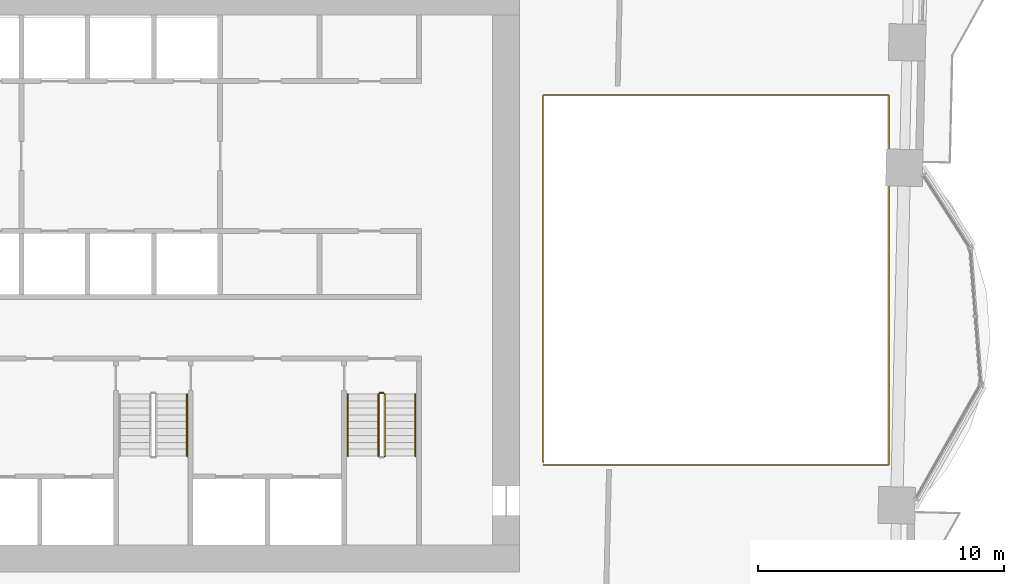
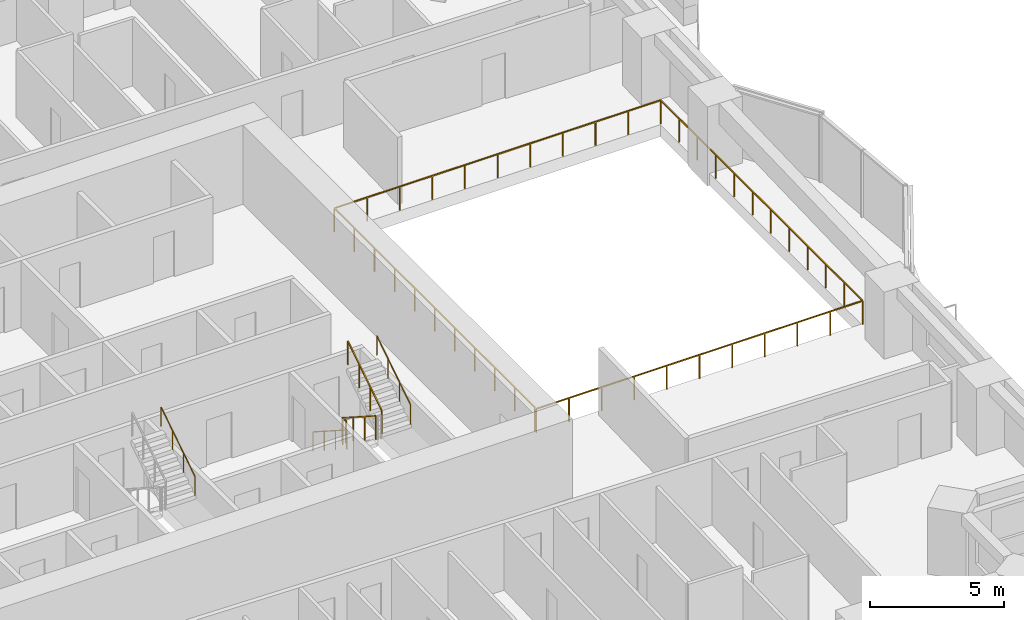
# One storey, part 17 of 18: 7 railings.
"""IFC4 building model written with IfcOpenShell, lengths in metres."""

from ifc_helpers import new_model, si_unit, direction, frame, origin, origin_2d, place, context, subcontext, project, spatial, rectangle, circle, extrude, material, type_object, element, save


model = new_model("IFC4")

# Units and contexts
model_context = context("Model", 3, precision=1e-05, world=origin(), true_north=direction((0.0, 1.0)))
body_context = subcontext(model_context, "Body", "Model", "MODEL_VIEW")
ifc_project = project(units=[si_unit("LENGTHUNIT", "METRE"), si_unit("AREAUNIT", "SQUARE_METRE"), si_unit("VOLUMEUNIT", "CUBIC_METRE"), si_unit("PLANEANGLEUNIT", "RADIAN"), si_unit("MASSUNIT", "GRAM", prefix="KILO")], contexts=[model_context])

# Site, building, storey
site_placement = place(None, origin())
site = spatial("IfcSite", under=ifc_project, at=site_placement, CompositionType="ELEMENT")
building_placement = place(site_placement, origin())
building = spatial("IfcBuilding", under=site, at=building_placement, Name="Mangrove Gate Tower", CompositionType="ELEMENT")
storey_placement = place(building_placement, frame((0.0, 0.0, 56.699951171875)))
storey = spatial("IfcBuildingStorey", under=building, at=storey_placement, Name="L13", CompositionType="ELEMENT", Elevation=56.699951171875)

# Railings
ifc_material_1 = material(Name="Stainless steel grade 316 with laminated glass infill", Category="steel")
railing_type_1 = type_object("IfcRailingType", Name="Balcony guard 1100", PredefinedType="GUARDRAIL", material=ifc_material_1)
railing_1_placement = place(storey_placement, frame((15.860107421875, -7.5400390625, 0.0)))
element("IfcRailing", 1, at=railing_1_placement, inside=storey, type_object=railing_type_1, Name="GUARD L13 atrium", PredefinedType="GUARDRAIL", context=body_context, shape_type="SweptSolid", body=[
    extrude(rectangle(XDim=0.048095703125, YDim=0.048095703125, at=origin_2d()), frame((0.0, 0.0, 1.076171875), z_axis=(1.0, 0.0, 0.0), x_axis=(0.0, 1.0, 0.0)), (0.0, 0.0, 1.0), 14.06982421875),
    extrude(rectangle(XDim=0.048095703125, YDim=0.048095703125, at=origin_2d()), frame((14.06982421875, 0.0, 1.076171875), z_axis=(0.0, 1.0, 0.0), x_axis=(-1.0, 0.0, 0.0)), (0.0, 0.0, 1.0), 15.080078125),
    extrude(rectangle(XDim=0.048095703125, YDim=0.048095703125, at=origin_2d()), frame((14.06982421875, 15.080078125, 1.076171875), z_axis=(-1.0, 0.0, 0.0), x_axis=(0.0, -1.0, 0.0)), (0.0, 0.0, 1.0), 14.06982421875),
    extrude(rectangle(XDim=0.048095703125, YDim=0.048095703125, at=origin_2d()), frame((0.0, 15.080078125, 1.076171875), z_axis=(0.0, -1.0, 0.0), x_axis=(1.0, 0.0, 0.0)), (0.0, 0.0, 1.0), 14.9599609375),
    extrude(rectangle(XDim=0.0419921875, YDim=0.0419921875, at=origin_2d()), origin(), (0.0, 0.0, 1.0), 1.052001953125),
    extrude(rectangle(XDim=0.0419921875, YDim=0.0419921875, at=origin_2d()), frame((1.406982421875, 0.0, 0.0)), (0.0, 0.0, 1.0), 1.052001953125),
    extrude(rectangle(XDim=0.0419921875, YDim=0.0419921875, at=origin_2d()), frame((2.81396484375, 0.0, 0.0)), (0.0, 0.0, 1.0), 1.052001953125),
    extrude(rectangle(XDim=0.0419921875, YDim=0.0419921875, at=origin_2d()), frame((4.220947265625, 0.0, 0.0)), (0.0, 0.0, 1.0), 1.052001953125),
    extrude(rectangle(XDim=0.0419921875, YDim=0.0419921875, at=origin_2d()), frame((5.6279296875, 0.0, 0.0)), (0.0, 0.0, 1.0), 1.052001953125),
    extrude(rectangle(XDim=0.0419921875, YDim=0.0419921875, at=origin_2d()), frame((7.034912109375, 0.0, 0.0)), (0.0, 0.0, 1.0), 1.052001953125),
    extrude(rectangle(XDim=0.0419921875, YDim=0.0419921875, at=origin_2d()), frame((8.44189453125, 0.0, 0.0)), (0.0, 0.0, 1.0), 1.052001953125),
    extrude(rectangle(XDim=0.0419921875, YDim=0.0419921875, at=origin_2d()), frame((9.848876953125, 0.0, 0.0)), (0.0, 0.0, 1.0), 1.052001953125),
    extrude(rectangle(XDim=0.0419921875, YDim=0.0419921875, at=origin_2d()), frame((11.255859375, 0.0, 0.0)), (0.0, 0.0, 1.0), 1.052001953125),
    extrude(rectangle(XDim=0.0419921875, YDim=0.0419921875, at=origin_2d()), frame((12.662841796875, 0.0, 0.0)), (0.0, 0.0, 1.0), 1.052001953125),
    extrude(rectangle(XDim=0.0419921875, YDim=0.0419921875, at=origin_2d()), frame((14.06982421875, 0.0, 0.0)), (0.0, 0.0, 1.0), 1.052001953125),
    extrude(rectangle(XDim=0.0419921875, YDim=0.0419921875, at=origin_2d()), frame((14.06982421875, 1.370849609375, 0.0)), (0.0, 0.0, 1.0), 1.052001953125),
    extrude(rectangle(XDim=0.0419921875, YDim=0.0419921875, at=origin_2d()), frame((14.06982421875, 2.741943359375, 0.0)), (0.0, 0.0, 1.0), 1.052001953125),
    extrude(rectangle(XDim=0.0419921875, YDim=0.0419921875, at=origin_2d()), frame((14.06982421875, 4.11279296875, 0.0)), (0.0, 0.0, 1.0), 1.052001953125),
    extrude(rectangle(XDim=0.0419921875, YDim=0.0419921875, at=origin_2d()), frame((14.06982421875, 5.483642578125, 0.0)), (0.0, 0.0, 1.0), 1.052001953125),
    extrude(rectangle(XDim=0.0419921875, YDim=0.0419921875, at=origin_2d()), frame((14.06982421875, 6.8544921875, 0.0)), (0.0, 0.0, 1.0), 1.052001953125),
    extrude(rectangle(XDim=0.0419921875, YDim=0.0419921875, at=origin_2d()), frame((14.06982421875, 8.2255859375, 0.0)), (0.0, 0.0, 1.0), 1.052001953125),
    extrude(rectangle(XDim=0.0419921875, YDim=0.0419921875, at=origin_2d()), frame((14.06982421875, 9.596435546875, 0.0)), (0.0, 0.0, 1.0), 1.052001953125),
    extrude(rectangle(XDim=0.0419921875, YDim=0.0419921875, at=origin_2d()), frame((14.06982421875, 10.96728515625, 0.0)), (0.0, 0.0, 1.0), 1.052001953125),
    extrude(rectangle(XDim=0.0419921875, YDim=0.0419921875, at=origin_2d()), frame((14.06982421875, 12.338134765625, 0.0)), (0.0, 0.0, 1.0), 1.052001953125),
    extrude(rectangle(XDim=0.0419921875, YDim=0.0419921875, at=origin_2d()), frame((14.06982421875, 13.709228515625, 0.0)), (0.0, 0.0, 1.0), 1.052001953125),
    extrude(rectangle(XDim=0.0419921875, YDim=0.0419921875, at=origin_2d()), frame((14.06982421875, 15.080078125, 0.0)), (0.0, 0.0, 1.0), 1.052001953125),
    extrude(rectangle(XDim=0.0419921875, YDim=0.0419921875, at=origin_2d()), frame((12.662841796875, 15.080078125, 0.0)), (0.0, 0.0, 1.0), 1.052001953125),
    extrude(rectangle(XDim=0.0419921875, YDim=0.0419921875, at=origin_2d()), frame((11.255859375, 15.080078125, 0.0)), (0.0, 0.0, 1.0), 1.052001953125),
    extrude(rectangle(XDim=0.0419921875, YDim=0.0419921875, at=origin_2d()), frame((9.848876953125, 15.080078125, 0.0)), (0.0, 0.0, 1.0), 1.052001953125),
    extrude(rectangle(XDim=0.0419921875, YDim=0.0419921875, at=origin_2d()), frame((8.44189453125, 15.080078125, 0.0)), (0.0, 0.0, 1.0), 1.052001953125),
    extrude(rectangle(XDim=0.0419921875, YDim=0.0419921875, at=origin_2d()), frame((7.034912109375, 15.080078125, 0.0)), (0.0, 0.0, 1.0), 1.052001953125),
    extrude(rectangle(XDim=0.0419921875, YDim=0.0419921875, at=origin_2d()), frame((5.6279296875, 15.080078125, 0.0)), (0.0, 0.0, 1.0), 1.052001953125),
    extrude(rectangle(XDim=0.0419921875, YDim=0.0419921875, at=origin_2d()), frame((4.220947265625, 15.080078125, 0.0)), (0.0, 0.0, 1.0), 1.052001953125),
    extrude(rectangle(XDim=0.0419921875, YDim=0.0419921875, at=origin_2d()), frame((2.81396484375, 15.080078125, 0.0)), (0.0, 0.0, 1.0), 1.052001953125),
    extrude(rectangle(XDim=0.0419921875, YDim=0.0419921875, at=origin_2d()), frame((1.406982421875, 15.080078125, 0.0)), (0.0, 0.0, 1.0), 1.052001953125),
    extrude(rectangle(XDim=0.0419921875, YDim=0.0419921875, at=origin_2d()), frame((0.0, 15.080078125, 0.0)), (0.0, 0.0, 1.0), 1.052001953125),
    extrude(rectangle(XDim=0.0419921875, YDim=0.0419921875, at=origin_2d()), frame((0.0, 13.583984375, 0.0)), (0.0, 0.0, 1.0), 1.052001953125),
    extrude(rectangle(XDim=0.0419921875, YDim=0.0419921875, at=origin_2d()), frame((0.0, 12.088134765625, 0.0)), (0.0, 0.0, 1.0), 1.052001953125),
    extrude(rectangle(XDim=0.0419921875, YDim=0.0419921875, at=origin_2d()), frame((0.0, 10.592041015625, 0.0)), (0.0, 0.0, 1.0), 1.052001953125),
    extrude(rectangle(XDim=0.0419921875, YDim=0.0419921875, at=origin_2d()), frame((0.0, 9.09619140625, 0.0)), (0.0, 0.0, 1.0), 1.052001953125),
    extrude(rectangle(XDim=0.0419921875, YDim=0.0419921875, at=origin_2d()), frame((0.0, 7.60009765625, 0.0)), (0.0, 0.0, 1.0), 1.052001953125),
    extrude(rectangle(XDim=0.0419921875, YDim=0.0419921875, at=origin_2d()), frame((0.0, 6.10400390625, 0.0)), (0.0, 0.0, 1.0), 1.052001953125),
    extrude(rectangle(XDim=0.0419921875, YDim=0.0419921875, at=origin_2d()), frame((0.0, 4.608154296875, 0.0)), (0.0, 0.0, 1.0), 1.052001953125),
    extrude(rectangle(XDim=0.0419921875, YDim=0.0419921875, at=origin_2d()), frame((0.0, 3.112060546875, 0.0)), (0.0, 0.0, 1.0), 1.052001953125),
    extrude(rectangle(XDim=0.0419921875, YDim=0.0419921875, at=origin_2d()), frame((0.0, 1.6162109375, 0.0)), (0.0, 0.0, 1.0), 1.052001953125),
    extrude(rectangle(XDim=0.0419921875, YDim=0.0419921875, at=origin_2d()), frame((0.0, 0.1201171875, 0.0)), (0.0, 0.0, 1.0), 1.052001953125),
])
ifc_material_2 = material(Name="Stainless steel 316", Category="steel")
railing_type_2 = type_object("IfcRailingType", Name="Core stair guard 1100", PredefinedType="GUARDRAIL", material=ifc_material_2)
railing_2_placement = place(storey_placement, frame((9.14990234375, -4.64990234375, 0.179931640625)))
element("IfcRailing", 2, at=railing_2_placement, inside=storey, type_object=railing_type_2, Name="L13 ST3 stair guard 1", PredefinedType="GUARDRAIL", context=body_context, shape_type="SweptSolid", body=[
    extrude(rectangle(XDim=0.048095703125, YDim=0.048095703125, at=origin_2d()), frame((0.0, 0.0, 1.076171875), z_axis=(0.0, -0.841162588446, 0.540782303519), x_axis=(1.0, 0.0, 0.0)), (0.0, 0.0, 1.0), 2.995849609375),
    extrude(rectangle(XDim=0.0419921875, YDim=0.0419921875, at=origin_2d()), origin(), (0.0, 0.0, 1.0), 1.052001953125),
    extrude(rectangle(XDim=0.0419921875, YDim=0.0419921875, at=origin_2d()), frame((0.0, -0.840087890625, 0.5400390625)), (0.0, 0.0, 1.0), 1.052001953125),
    extrude(rectangle(XDim=0.0419921875, YDim=0.0419921875, at=origin_2d()), frame((0.0, -1.679931640625, 1.080078125)), (0.0, 0.0, 1.0), 1.052001953125),
    extrude(rectangle(XDim=0.0419921875, YDim=0.0419921875, at=origin_2d()), frame((0.0, -2.52001953125, 1.6201171875)), (0.0, 0.0, 1.0), 1.052001953125),
])
railing_3_placement = place(storey_placement, frame((9.39990234375, -7.169921875, 1.97998046875)))
element("IfcRailing", 3, at=railing_3_placement, inside=storey, type_object=railing_type_2, Name="L13 ST3 stair guard 3", PredefinedType="GUARDRAIL", context=body_context, shape_type="SweptSolid", body=[
    extrude(rectangle(XDim=0.048095703125, YDim=0.048095703125, at=origin_2d()), frame((0.0, 0.0, 1.076171875), z_axis=(0.0, 0.841162588446, 0.540782303519), x_axis=(-1.0, 0.0, 0.0)), (0.0, 0.0, 1.0), 2.995849609375),
    extrude(rectangle(XDim=0.0419921875, YDim=0.0419921875, at=origin_2d()), origin(), (0.0, 0.0, 1.0), 1.052001953125),
    extrude(rectangle(XDim=0.0419921875, YDim=0.0419921875, at=origin_2d()), frame((0.0, 0.840087890625, 0.5400390625)), (0.0, 0.0, 1.0), 1.052001953125),
    extrude(rectangle(XDim=0.0419921875, YDim=0.0419921875, at=origin_2d()), frame((0.0, 1.679931640625, 1.080078125)), (0.0, 0.0, 1.0), 1.052001953125),
    extrude(rectangle(XDim=0.0419921875, YDim=0.0419921875, at=origin_2d()), frame((0.0, 2.52001953125, 1.6201171875)), (0.0, 0.0, 1.0), 1.052001953125),
])
railing_4_placement = place(storey_placement, frame((9.199951171875, -4.60009765625, 0.0)))
element("IfcRailing", 4, at=railing_4_placement, inside=storey, type_object=railing_type_2, Name="L13 ST3 stair guard 4", PredefinedType="GUARDRAIL", context=body_context, shape_type="SweptSolid", body=[
    extrude(rectangle(XDim=0.048095703125, YDim=0.048095703125, at=origin_2d()), frame((0.0, 0.0, 1.076171875), z_axis=(1.0, 0.0, 0.0), x_axis=(0.0, 1.0, 0.0)), (0.0, 0.0, 1.0), 0.150146484375),
    extrude(rectangle(XDim=0.0419921875, YDim=0.0419921875, at=origin_2d()), origin(), (0.0, 0.0, 1.0), 1.052001953125),
    extrude(rectangle(XDim=0.0419921875, YDim=0.0419921875, at=origin_2d()), frame((0.150146484375, 0.0, 0.0)), (0.0, 0.0, 1.0), 1.052001953125),
])
ifc_material_3 = material(Name="Stainless steel 316", Category="steel")
railing_type_3 = type_object("IfcRailingType", Name="Core stair handrail 900", PredefinedType="HANDRAIL", material=ifc_material_3)
railing_5_placement = place(storey_placement, frame((1.35009765625, -7.169921875, 1.97998046875)))
element("IfcRailing", 5, at=railing_5_placement, inside=storey, type_object=railing_type_3, Name="L13 ST2 stair handrail 2", PredefinedType="HANDRAIL", context=body_context, shape_type="SweptSolid", body=[
    extrude(circle(Radius=0.02392578125, at=origin_2d()), frame((0.0, 0.0, 0.8759765625), z_axis=(0.0, 0.841162588446, 0.540782303519), x_axis=(-1.0, 0.0, 0.0)), (0.0, 0.0, 1.0), 2.995849609375),
    extrude(circle(Radius=0.02099609375, at=origin_2d()), origin(), (0.0, 0.0, 1.0), 0.851806640625),
    extrude(circle(Radius=0.02099609375, at=origin_2d()), frame((0.0, 0.840087890625, 0.5400390625)), (0.0, 0.0, 1.0), 0.851806640625),
    extrude(circle(Radius=0.02099609375, at=origin_2d()), frame((0.0, 1.679931640625, 1.080078125)), (0.0, 0.0, 1.0), 0.851806640625),
    extrude(circle(Radius=0.02099609375, at=origin_2d()), frame((0.0, 2.52001953125, 1.6201171875)), (0.0, 0.0, 1.0), 0.851806640625),
])
railing_6_placement = place(storey_placement, frame((7.89990234375, -4.64990234375, 0.179931640625)))
element("IfcRailing", 6, at=railing_6_placement, inside=storey, type_object=railing_type_3, Name="L13 ST3 stair handrail 1", PredefinedType="HANDRAIL", context=body_context, shape_type="SweptSolid", body=[
    extrude(circle(Radius=0.02392578125, at=origin_2d()), frame((0.0, 0.0, 0.8759765625), z_axis=(0.0, -0.841162588446, 0.540782303519), x_axis=(1.0, 0.0, 0.0)), (0.0, 0.0, 1.0), 2.995849609375),
    extrude(circle(Radius=0.02099609375, at=origin_2d()), origin(), (0.0, 0.0, 1.0), 0.851806640625),
    extrude(circle(Radius=0.02099609375, at=origin_2d()), frame((0.0, -0.840087890625, 0.5400390625)), (0.0, 0.0, 1.0), 0.851806640625),
    extrude(circle(Radius=0.02099609375, at=origin_2d()), frame((0.0, -1.679931640625, 1.080078125)), (0.0, 0.0, 1.0), 0.851806640625),
    extrude(circle(Radius=0.02099609375, at=origin_2d()), frame((0.0, -2.52001953125, 1.6201171875)), (0.0, 0.0, 1.0), 0.851806640625),
])
railing_7_placement = place(storey_placement, frame((10.64990234375, -7.169921875, 1.97998046875)))
element("IfcRailing", 7, at=railing_7_placement, inside=storey, type_object=railing_type_3, Name="L13 ST3 stair handrail 2", PredefinedType="HANDRAIL", context=body_context, shape_type="SweptSolid", body=[
    extrude(circle(Radius=0.02392578125, at=origin_2d()), frame((0.0, 0.0, 0.8759765625), z_axis=(0.0, 0.841162588446, 0.540782303519), x_axis=(-1.0, 0.0, 0.0)), (0.0, 0.0, 1.0), 2.995849609375),
    extrude(circle(Radius=0.02099609375, at=origin_2d()), origin(), (0.0, 0.0, 1.0), 0.851806640625),
    extrude(circle(Radius=0.02099609375, at=origin_2d()), frame((0.0, 0.840087890625, 0.5400390625)), (0.0, 0.0, 1.0), 0.851806640625),
    extrude(circle(Radius=0.02099609375, at=origin_2d()), frame((0.0, 1.679931640625, 1.080078125)), (0.0, 0.0, 1.0), 0.851806640625),
    extrude(circle(Radius=0.02099609375, at=origin_2d()), frame((0.0, 2.52001953125, 1.6201171875)), (0.0, 0.0, 1.0), 0.851806640625),
])

save(model, "model.ifc")
